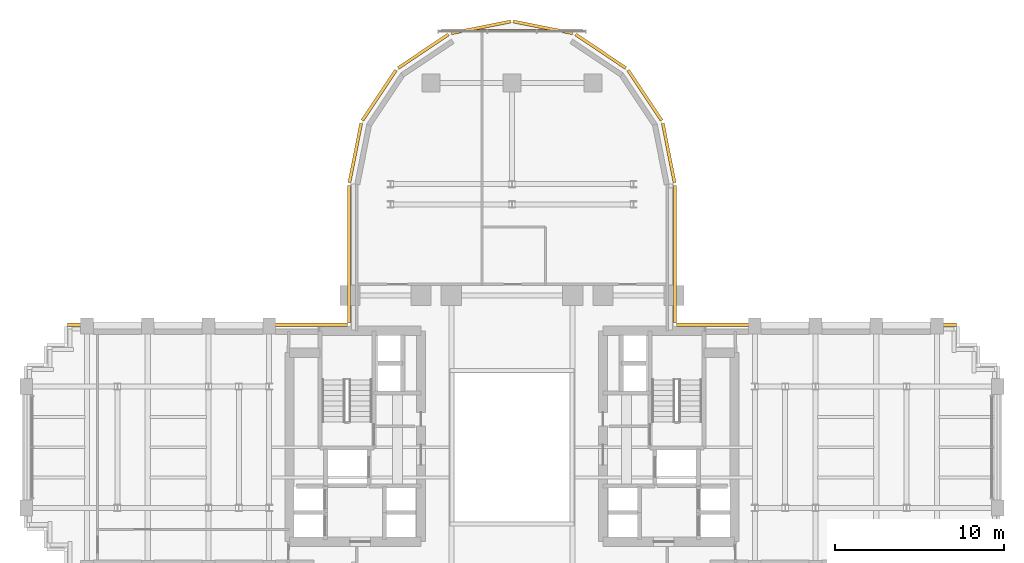
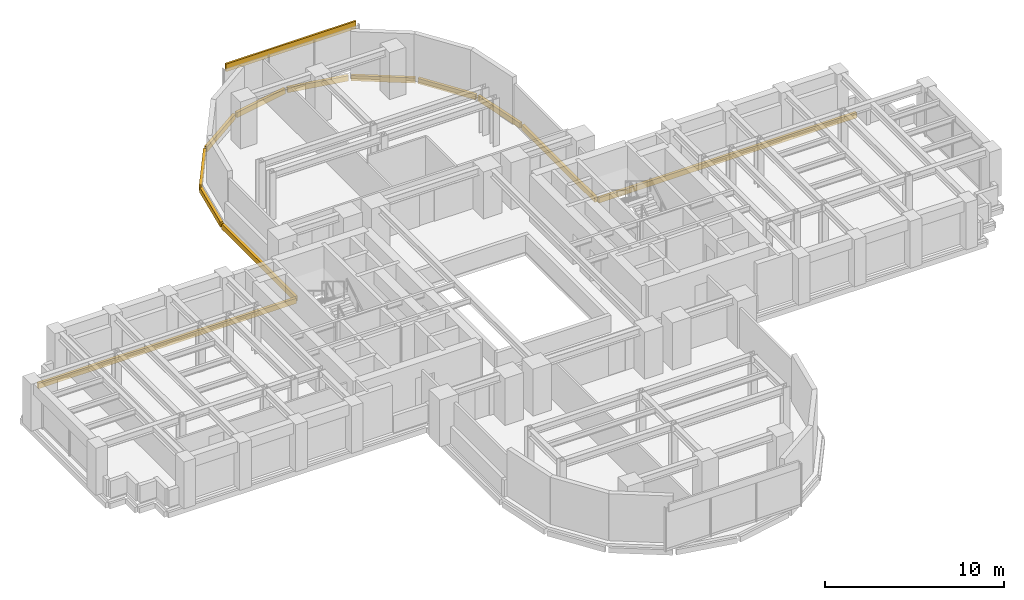
# One storey, part 16 of 16: 13 coverings.
"""IFC4 building model written with IfcOpenShell, lengths in metres."""

from ifc_helpers import new_model, si_unit, direction, frame, origin, origin_2d, place, context, subcontext, project, spatial, rectangle, extrude, source, transform, mapped, material, layer, layer_set, type_object, element, save


model = new_model("IFC4")

# Units and contexts
model_context = context("Model", 3, precision=1e-05, world=origin(), true_north=direction((0.0, 1.0)))
body_context = subcontext(model_context, "Body", "Model", "MODEL_VIEW")
ifc_project = project(units=[si_unit("LENGTHUNIT", "METRE"), si_unit("AREAUNIT", "SQUARE_METRE"), si_unit("VOLUMEUNIT", "CUBIC_METRE"), si_unit("PLANEANGLEUNIT", "RADIAN"), si_unit("MASSUNIT", "GRAM", prefix="KILO")], contexts=[model_context])

# Site, building, storey
site_placement = place(None, origin())
site = spatial("IfcSite", under=ifc_project, at=site_placement, CompositionType="ELEMENT")
building_placement = place(site_placement, origin())
building = spatial("IfcBuilding", under=site, at=building_placement, Name="Keilestroom Media Tower", CompositionType="ELEMENT")
storey_placement = place(building_placement, frame((0.0, 0.0, 34.0)))
storey = spatial("IfcBuildingStorey", under=building, at=storey_placement, Name="L07", CompositionType="ELEMENT", Elevation=34.0)

# Coverings
ifc_material = material(Name="Precast concrete C40/50", Category="concrete")
ifc_layer = layer(ifc_material, 0.1201171875)
ifc_layer_set = layer_set([ifc_layer], Name="Precast concrete C40/50")
covering_type = type_object("IfcCoveringType", Name="Exterior-Precast-Spandrel-Cladding-Panel-120", PredefinedType="CLADDING", material=ifc_layer_set)
shared_shape_1 = source(origin(), body_context, "Body", "SweptSolid", [
    extrude(rectangle(XDim=8.39990234375, YDim=0.1201171875, at=origin_2d()), origin(), (0.0, 0.0, 1.0), 0.52001953125),
])
covering_placement = place(storey_placement, frame((0.0, 24.719970703125, 2.68994140625), z_axis=(0.0, 0.0, 1.0), x_axis=(1.0, 0.0, 0.0)))
element("IfcCovering", 1, at=covering_placement, inside=storey, type_object=covering_type, Name="L07 Precast Spandrel Cladding N", PredefinedType="CLADDING", context=body_context, shape_type="MappedRepresentation", body=[
    mapped(shared_shape_1, transform((0.0, 0.0, 0.0), x_axis=(1.0, 0.0, 0.0), y_axis=(0.0, 1.0, 0.0), z_axis=(0.0, 0.0, 1.0), scale=1.0)),
])
shared_shape_2 = source(origin(), body_context, "Body", "SweptSolid", [
    extrude(rectangle(XDim=16.6201171875, YDim=0.179931640625, at=origin_2d()), origin(), (0.0, 0.0, 1.0), 0.360107421875),
])
for number, where, z_axis, x_axis, name in (
    (2, (-18.06005859375, 7.260009765625, -0.5400390625), (0.0, 0.0, 1.0), (1.0, 0.0, 0.0), "L07 Precast Slab-Edge Fascia Cornice 26"),
    (3, (18.06005859375, 7.260009765625, -0.5400390625), (0.0, 0.0, 1.0), (1.0, 0.0, 0.0), "L07 Precast Slab-Edge Fascia Cornice 37"),
):
    element("IfcCovering", number, at=place(storey_placement, frame(where, z_axis=z_axis, x_axis=x_axis)), inside=storey, type_object=covering_type, Name=name, PredefinedType="CLADDING", context=body_context, shape_type="MappedRepresentation", body=[
        mapped(shared_shape_2, transform((0.0, 0.0, 0.0), x_axis=(1.0, 0.0, 0.0), y_axis=(0.0, 1.0, 0.0), z_axis=(0.0, 0.0, 1.0), scale=1.0)),
    ])
shared_shape_3 = source(origin(), body_context, "Body", "SweptSolid", [
    extrude(rectangle(XDim=8.166015625, YDim=0.179931640625, at=origin_2d()), origin(), (0.0, 0.0, 1.0), 0.360107421875),
])
for number, where, z_axis, x_axis, name in (
    (4, (-9.659912109375, 11.43310546875, -0.5400390625), (0.0, 0.0, 1.0), (0.0, 1.0, 0.0), "L07 Precast Slab-Edge Fascia Cornice 27"),
    (5, (9.659912109375, 11.43310546875, -0.5400390625), (0.0, 0.0, 1.0), (0.0, -1.0, 0.0), "L07 Precast Slab-Edge Fascia Cornice 36"),
):
    element("IfcCovering", number, at=place(storey_placement, frame(where, z_axis=z_axis, x_axis=x_axis)), inside=storey, type_object=covering_type, Name=name, PredefinedType="CLADDING", context=body_context, shape_type="MappedRepresentation", body=[
        mapped(shared_shape_3, transform((0.0, 0.0, 0.0), x_axis=(1.0, 0.0, 0.0), y_axis=(0.0, 1.0, 0.0), z_axis=(0.0, 0.0, 1.0), scale=1.0)),
    ])
shared_shape_4 = source(origin(), body_context, "Body", "SweptSolid", [
    extrude(rectangle(XDim=3.58349609375, YDim=0.179931640625, at=origin_2d()), origin(), (0.0, 0.0, 1.0), 0.360107421875),
])
for number, where, z_axis, x_axis, name in (
    (6, (-9.29296875, 17.45166015625, -0.5400390625), (0.0, 0.0, 1.0), (0.195098880975, 0.980783577882, 0.0), "L07 Precast Slab-Edge Fascia Cornice 28"),
    (7, (9.29296875, 17.45166015625, -0.5400390625), (0.0, 0.0, 1.0), (0.195098880975, -0.980783577882, 0.0), "L07 Precast Slab-Edge Fascia Cornice 35"),
):
    element("IfcCovering", number, at=place(storey_placement, frame(where, z_axis=z_axis, x_axis=x_axis)), inside=storey, type_object=covering_type, Name=name, PredefinedType="CLADDING", context=body_context, shape_type="MappedRepresentation", body=[
        mapped(shared_shape_4, transform((0.0, 0.0, 0.0), x_axis=(1.0, 0.0, 0.0), y_axis=(0.0, 1.0, 0.0), z_axis=(0.0, 0.0, 1.0), scale=1.0)),
    ])
shared_shape_5 = source(origin(), body_context, "Body", "SweptSolid", [
    extrude(rectangle(XDim=3.589599609375, YDim=0.179931640625, at=origin_2d()), origin(), (0.0, 0.0, 1.0), 0.360107421875),
])
for number, where, z_axis, x_axis, name in (
    (8, (-7.878662109375, 20.8642578125, -0.5400390625), (0.0, 0.0, 1.0), (0.555574586577, 0.831466703332, 0.0), "L07 Precast Slab-Edge Fascia Cornice 29"),
    (9, (-5.264404296875, 23.478515625, -0.5400390625), (0.0, 0.0, 1.0), (0.831466703332, 0.555574586577, 0.0), "L07 Precast Slab-Edge Fascia Cornice 30"),
    (10, (-1.8486328125, 24.893310546875, -0.5400390625), (0.0, 0.0, 1.0), (0.980783577882, 0.195098880975, 0.0), "L07 Precast Slab-Edge Fascia Cornice 31"),
    (11, (1.8486328125, 24.893310546875, -0.5400390625), (0.0, 0.0, 1.0), (0.980783577882, -0.195098880975, 0.0), "L07 Precast Slab-Edge Fascia Cornice 32"),
    (12, (5.264404296875, 23.478515625, -0.5400390625), (0.0, 0.0, 1.0), (0.831466703332, -0.555574586577, 0.0), "L07 Precast Slab-Edge Fascia Cornice 33"),
    (13, (7.878662109375, 20.8642578125, -0.5400390625), (0.0, 0.0, 1.0), (0.555574586577, -0.831466703332, 0.0), "L07 Precast Slab-Edge Fascia Cornice 34"),
):
    element("IfcCovering", number, at=place(storey_placement, frame(where, z_axis=z_axis, x_axis=x_axis)), inside=storey, type_object=covering_type, Name=name, PredefinedType="CLADDING", context=body_context, shape_type="MappedRepresentation", body=[
        mapped(shared_shape_5, transform((0.0, 0.0, 0.0), x_axis=(1.0, 0.0, 0.0), y_axis=(0.0, 1.0, 0.0), z_axis=(0.0, 0.0, 1.0), scale=1.0)),
    ])

save(model, "model.ifc")
